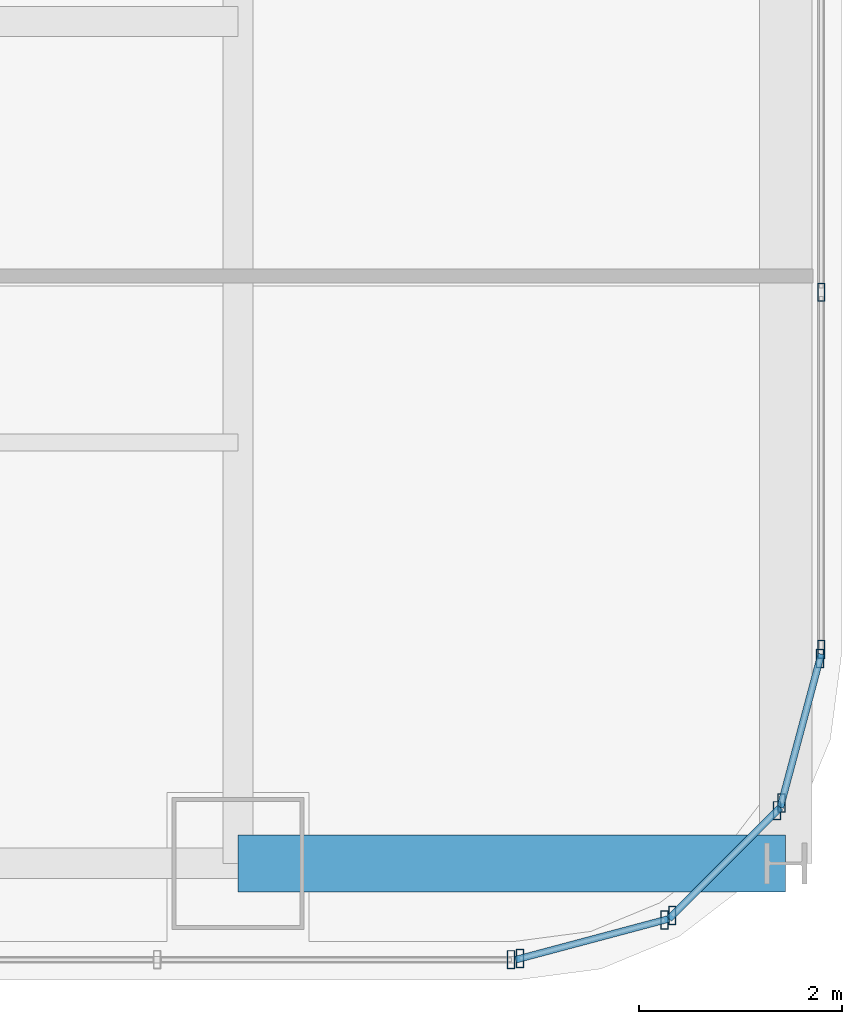
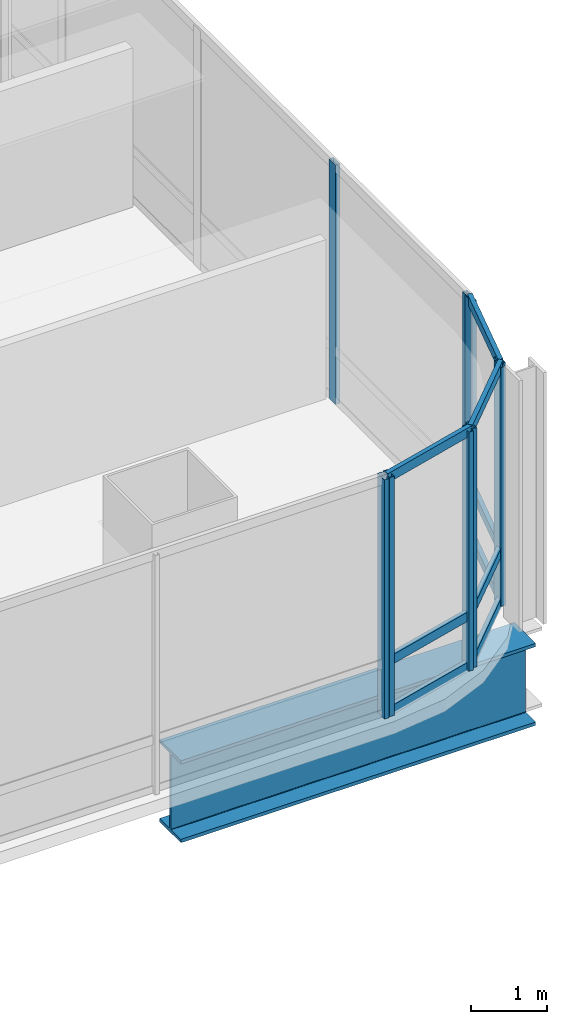
# One storey, part 15 of 42: 18 members, 1 beam, 5 elements without a shape of their own.
"""IFC4 building model written with IfcOpenShell, lengths in metres."""

from ifc_helpers import new_model, si_unit, direction, frame, origin, origin_2d, place, context, subcontext, project, spatial, hollow_rectangle, i_section, extrude, material, material_profile, profile_set, type_object, element, aggregate, save


model = new_model("IFC4")

# Units and contexts
model_context = context("Model", 3, precision=1e-05, world=origin(), true_north=direction((0.0, 1.0)))
body_context = subcontext(model_context, "Body", "Model", "MODEL_VIEW")
ifc_project = project(units=[si_unit("LENGTHUNIT", "METRE"), si_unit("AREAUNIT", "SQUARE_METRE"), si_unit("VOLUMEUNIT", "CUBIC_METRE"), si_unit("PLANEANGLEUNIT", "RADIAN"), si_unit("MASSUNIT", "GRAM", prefix="KILO")], contexts=[model_context])

# Site, building, storey
site_placement = place(None, origin())
site = spatial("IfcSite", under=ifc_project, at=site_placement, CompositionType="ELEMENT")
building_placement = place(site_placement, origin())
building = spatial("IfcBuilding", under=site, at=building_placement, Name="Punatoya Terracotta Tower", CompositionType="ELEMENT")
storey_placement = place(building_placement, frame((0.0, 0.0, 255.449951171875)))
storey = spatial("IfcBuildingStorey", under=building, at=storey_placement, Name="L60", CompositionType="ELEMENT", Elevation=255.449951171875)

# Beam
ifc_material_1 = material(Name="Steel S460", Category="steel")
ifc_material_profile_1 = material_profile(ifc_material_1, i_section(OverallWidth=0.56005859375, OverallDepth=1.320068359375, WebThickness=0.035888671875, FlangeThickness=0.054931640625, FilletRadius=0.01806640625, at=origin_2d()))
ifc_profile_set_1 = profile_set([ifc_material_profile_1], Name="Steel S460")
beam_type = type_object("IfcBeamType", Name="BM-TG-BLK", PredefinedType="BEAM", material=ifc_profile_set_1)
beam_placement = place(storey_placement, frame((19.10009765625, -17.5, -0.85986328125), z_axis=(1.0, 0.0, 0.0), x_axis=(0.0, 1.0, 0.0)))
element("IfcBeam", 1, at=beam_placement, inside=storey, type_object=beam_type, Name="BM-L60-CANT-E1", PredefinedType="BEAM", context=body_context, shape_type="SweptSolid", body=[
    extrude(i_section(OverallWidth=0.56005859375, OverallDepth=1.320068359375, WebThickness=0.035888671875, FlangeThickness=0.054931640625, FilletRadius=0.01806640625, at=origin_2d()), origin(), (0.0, 0.0, 1.0), 5.39990234375),
])

# Curtain wall, member
ifc_material_2 = material(Name="Aluminium 6063-T6 + Double Low-E Glass", Category="aluminium")
curtain_wall_type = type_object("IfcCurtainWallType", Name="CW-M3", PredefinedType="NOTDEFINED", material=ifc_material_2)
curtain_wall_1_placement = place(storey_placement, origin())
curtain_wall_1 = element("IfcCurtainWall", 2, at=curtain_wall_1_placement, inside=storey, type_object=curtain_wall_type, Name="L60 Curtain Wall CW-L60-S01-1", PredefinedType="NOTDEFINED")
ifc_material_3 = material(Name="Aluminium 6063-T6", Category="aluminium")
ifc_material_profile_2 = material_profile(ifc_material_3, hollow_rectangle(XDim=0.070068359375, YDim=0.179931640625, WallThickness=0.00390625, at=origin_2d()))
ifc_profile_set_2 = profile_set([ifc_material_profile_2], Name="Aluminium 6063-T6")
member_type_1 = type_object("IfcMemberType", Name="CW-MUL-M3", PredefinedType="MULLION", material=ifc_profile_set_2)
member_1_placement = place(storey_placement, frame((21.7919921875, -18.449951171875, 0.0), z_axis=(0.0, 0.0, 1.0), x_axis=(1.0, 0.0, 0.0)))
member_1 = element("IfcMember", 3, at=member_1_placement, type_object=member_type_1, Name="CW-L60-S01-1 Mullion 11", PredefinedType="MULLION", context=body_context, shape_type="SweptSolid", body=[
    extrude(hollow_rectangle(XDim=0.070068359375, YDim=0.179931640625, WallThickness=0.00390625, at=origin_2d()), origin(), (0.0, 0.0, 1.0), 3.85009765625),
])
aggregate(curtain_wall_1, [member_1])

# Curtain wall, members
curtain_wall_2_placement = place(storey_placement, origin())
curtain_wall_2 = element("IfcCurtainWall", 4, at=curtain_wall_2_placement, inside=storey, type_object=curtain_wall_type, Name="L60 Curtain Wall CW-L60-CRN02", PredefinedType="NOTDEFINED")
member_2_placement = place(storey_placement, frame((21.88037109375, -18.4384765625, 0.0), z_axis=(0.0, 0.0, 1.0), x_axis=(1.0, 0.0, 0.0)))
member_2 = element("IfcMember", 5, at=member_2_placement, type_object=member_type_1, Name="CW-L60-CRN02 Mullion 00", PredefinedType="MULLION", context=body_context, shape_type="SweptSolid", body=[
    extrude(hollow_rectangle(XDim=0.070068359375, YDim=0.179931640625, WallThickness=0.00390625, at=origin_2d()), origin(), (0.0, 0.0, 1.0), 3.85009765625),
])
member_3_placement = place(storey_placement, frame((23.3056640625, -18.05810546875, 0.0), z_axis=(0.0, 0.0, 1.0), x_axis=(1.0, 0.0, 0.0)))
member_3 = element("IfcMember", 6, at=member_3_placement, type_object=member_type_1, Name="CW-L60-CRN02 Mullion 01", PredefinedType="MULLION", context=body_context, shape_type="SweptSolid", body=[
    extrude(hollow_rectangle(XDim=0.070068359375, YDim=0.179931640625, WallThickness=0.00390625, at=origin_2d()), origin(), (0.0, 0.0, 1.0), 3.85009765625),
])

curtain_wall_3_placement = place(storey_placement, origin())
curtain_wall_3 = element("IfcCurtainWall", 7, at=curtain_wall_3_placement, inside=storey, type_object=curtain_wall_type, Name="L60 Curtain Wall CW-L60-CRN03", PredefinedType="NOTDEFINED")
member_4_placement = place(storey_placement, frame((23.380859375, -18.014892578125, 0.0), z_axis=(0.0, 0.0, 1.0), x_axis=(1.0, 0.0, 0.0)))
member_4 = element("IfcMember", 8, at=member_4_placement, type_object=member_type_1, Name="CW-L60-CRN03 Mullion 00", PredefinedType="MULLION", context=body_context, shape_type="SweptSolid", body=[
    extrude(hollow_rectangle(XDim=0.070068359375, YDim=0.179931640625, WallThickness=0.00390625, at=origin_2d()), origin(), (0.0, 0.0, 1.0), 3.85009765625),
])
member_5_placement = place(storey_placement, frame((24.414794921875, -16.98095703125, 0.0), z_axis=(0.0, 0.0, 1.0), x_axis=(1.0, 0.0, 0.0)))
member_5 = element("IfcMember", 9, at=member_5_placement, type_object=member_type_1, Name="CW-L60-CRN03 Mullion 01", PredefinedType="MULLION", context=body_context, shape_type="SweptSolid", body=[
    extrude(hollow_rectangle(XDim=0.070068359375, YDim=0.179931640625, WallThickness=0.00390625, at=origin_2d()), origin(), (0.0, 0.0, 1.0), 3.85009765625),
])

curtain_wall_4_placement = place(storey_placement, origin())
curtain_wall_4 = element("IfcCurtainWall", 10, at=curtain_wall_4_placement, inside=storey, type_object=curtain_wall_type, Name="L60 Curtain Wall CW-L60-CRN04", PredefinedType="NOTDEFINED")
member_6_placement = place(storey_placement, frame((24.458251953125, -16.905517578125, 0.0), z_axis=(0.0, 0.0, 1.0), x_axis=(1.0, 0.0, 0.0)))
member_6 = element("IfcMember", 11, at=member_6_placement, type_object=member_type_1, Name="CW-L60-CRN04 Mullion 00", PredefinedType="MULLION", context=body_context, shape_type="SweptSolid", body=[
    extrude(hollow_rectangle(XDim=0.070068359375, YDim=0.179931640625, WallThickness=0.00390625, at=origin_2d()), origin(), (0.0, 0.0, 1.0), 3.85009765625),
])
member_7_placement = place(storey_placement, frame((24.83837890625, -15.48046875, 0.0), z_axis=(0.0, 0.0, 1.0), x_axis=(1.0, 0.0, 0.0)))
member_7 = element("IfcMember", 12, at=member_7_placement, type_object=member_type_1, Name="CW-L60-CRN04 Mullion 01", PredefinedType="MULLION", context=body_context, shape_type="SweptSolid", body=[
    extrude(hollow_rectangle(XDim=0.070068359375, YDim=0.179931640625, WallThickness=0.00390625, at=origin_2d()), origin(), (0.0, 0.0, 1.0), 3.85009765625),
])

curtain_wall_5_placement = place(storey_placement, origin())
curtain_wall_5 = element("IfcCurtainWall", 13, at=curtain_wall_5_placement, inside=storey, type_object=curtain_wall_type, Name="L60 Curtain Wall CW-L60-E05-1", PredefinedType="NOTDEFINED")
member_8_placement = place(storey_placement, frame((24.85009765625, -15.391845703125, 0.0), z_axis=(0.0, 0.0, 1.0), x_axis=(1.0, 0.0, 0.0)))
member_8 = element("IfcMember", 14, at=member_8_placement, type_object=member_type_1, Name="CW-L60-E05-1 Mullion 00", PredefinedType="MULLION", context=body_context, shape_type="SweptSolid", body=[
    extrude(hollow_rectangle(XDim=0.070068359375, YDim=0.179931640625, WallThickness=0.00390625, at=origin_2d()), origin(), (0.0, 0.0, 1.0), 3.85009765625),
])
member_9_placement = place(storey_placement, frame((24.85009765625, -11.869384765625, 0.0), z_axis=(0.0, 0.0, 1.0), x_axis=(1.0, 0.0, 0.0)))
member_9 = element("IfcMember", 15, at=member_9_placement, type_object=member_type_1, Name="CW-L60-E05-1 Mullion 01", PredefinedType="MULLION", context=body_context, shape_type="SweptSolid", body=[
    extrude(hollow_rectangle(XDim=0.070068359375, YDim=0.179931640625, WallThickness=0.00390625, at=origin_2d()), origin(), (0.0, 0.0, 1.0), 3.85009765625),
])
aggregate(curtain_wall_5, [member_8, member_9])

# Member
ifc_material_profile_3 = material_profile(ifc_material_3, hollow_rectangle(XDim=0.068115234375, YDim=0.14990234375, WallThickness=0.00390625, at=origin_2d()))
ifc_profile_set_3 = profile_set([ifc_material_profile_3], Name="Aluminium 6063-T6")
member_type_2 = type_object("IfcMemberType", Name="CW-TRN-TYP", PredefinedType="USERDEFINED", material=ifc_profile_set_3)
member_10_placement = place(storey_placement, frame((21.8369140625, -18.449951171875, 0.0400390625), z_axis=(0.966224582397, 0.257701486942, 0.0), x_axis=(-0.257701486942, 0.966224582397, 0.0)))
member_10 = element("IfcMember", 16, at=member_10_placement, type_object=member_type_2, Name="CW-L60-CRN02 Transom 1", ObjectType="TRANSOM", PredefinedType="USERDEFINED", context=body_context, shape_type="SweptSolid", body=[
    extrude(hollow_rectangle(XDim=0.068115234375, YDim=0.14990234375, WallThickness=0.00390625, at=origin_2d()), origin(), (0.0, 0.0, 1.0), 1.565185546875),
])

member_11_placement = place(storey_placement, frame((21.8369140625, -18.449951171875, 0.85009765625), z_axis=(0.966224582397, 0.257701486942, 0.0), x_axis=(-0.257701486942, 0.966224582397, 0.0)))
member_11 = element("IfcMember", 17, at=member_11_placement, type_object=member_type_2, Name="CW-L60-CRN02 Transom 2", ObjectType="TRANSOM", PredefinedType="USERDEFINED", context=body_context, shape_type="SweptSolid", body=[
    extrude(hollow_rectangle(XDim=0.068115234375, YDim=0.14990234375, WallThickness=0.00390625, at=origin_2d()), origin(), (0.0, 0.0, 1.0), 1.565185546875),
])

member_12_placement = place(storey_placement, frame((21.8369140625, -18.449951171875, 3.81005859375), z_axis=(0.966224582397, 0.257701486942, 0.0), x_axis=(-0.257701486942, 0.966224582397, 0.0)))
member_12 = element("IfcMember", 18, at=member_12_placement, type_object=member_type_2, Name="CW-L60-CRN02 Transom 3", ObjectType="TRANSOM", PredefinedType="USERDEFINED", context=body_context, shape_type="SweptSolid", body=[
    extrude(hollow_rectangle(XDim=0.068115234375, YDim=0.14990234375, WallThickness=0.00390625, at=origin_2d()), origin(), (0.0, 0.0, 1.0), 1.565185546875),
])

aggregate(curtain_wall_2, [member_2, member_3, member_10, member_11, member_12])

member_13_placement = place(storey_placement, frame((23.34912109375, -18.046630859375, 0.0400390625), z_axis=(0.707106781187, 0.707106781187, 0.0), x_axis=(-0.707106781187, 0.707106781187, 0.0)))
member_13 = element("IfcMember", 19, at=member_13_placement, type_object=member_type_2, Name="CW-L60-CRN03 Transom 1", ObjectType="TRANSOM", PredefinedType="USERDEFINED", context=body_context, shape_type="SweptSolid", body=[
    extrude(hollow_rectangle(XDim=0.068115234375, YDim=0.14990234375, WallThickness=0.00390625, at=origin_2d()), origin(), (0.0, 0.0, 1.0), 1.552001953125),
])

member_14_placement = place(storey_placement, frame((23.34912109375, -18.046630859375, 0.85009765625), z_axis=(0.707106781187, 0.707106781187, 0.0), x_axis=(-0.707106781187, 0.707106781187, 0.0)))
member_14 = element("IfcMember", 20, at=member_14_placement, type_object=member_type_2, Name="CW-L60-CRN03 Transom 2", ObjectType="TRANSOM", PredefinedType="USERDEFINED", context=body_context, shape_type="SweptSolid", body=[
    extrude(hollow_rectangle(XDim=0.068115234375, YDim=0.14990234375, WallThickness=0.00390625, at=origin_2d()), origin(), (0.0, 0.0, 1.0), 1.552001953125),
])

member_15_placement = place(storey_placement, frame((23.34912109375, -18.046630859375, 3.81005859375), z_axis=(0.707106781187, 0.707106781187, 0.0), x_axis=(-0.707106781187, 0.707106781187, 0.0)))
member_15 = element("IfcMember", 21, at=member_15_placement, type_object=member_type_2, Name="CW-L60-CRN03 Transom 3", ObjectType="TRANSOM", PredefinedType="USERDEFINED", context=body_context, shape_type="SweptSolid", body=[
    extrude(hollow_rectangle(XDim=0.068115234375, YDim=0.14990234375, WallThickness=0.00390625, at=origin_2d()), origin(), (0.0, 0.0, 1.0), 1.552001953125),
])

aggregate(curtain_wall_3, [member_4, member_5, member_13, member_14, member_15])

member_16_placement = place(storey_placement, frame((24.446533203125, -16.94921875, 0.0400390625), z_axis=(0.257847112249, 0.966185730957, 0.0), x_axis=(-0.966185730957, 0.257847112249, 0.0)))
member_16 = element("IfcMember", 22, at=member_16_placement, type_object=member_type_2, Name="CW-L60-CRN04 Transom 1", ObjectType="TRANSOM", PredefinedType="USERDEFINED", context=body_context, shape_type="SweptSolid", body=[
    extrude(hollow_rectangle(XDim=0.068115234375, YDim=0.14990234375, WallThickness=0.00390625, at=origin_2d()), origin(), (0.0, 0.0, 1.0), 1.565185546875),
])

member_17_placement = place(storey_placement, frame((24.446533203125, -16.94921875, 0.85009765625), z_axis=(0.257847112249, 0.966185730957, 0.0), x_axis=(-0.966185730957, 0.257847112249, 0.0)))
member_17 = element("IfcMember", 23, at=member_17_placement, type_object=member_type_2, Name="CW-L60-CRN04 Transom 2", ObjectType="TRANSOM", PredefinedType="USERDEFINED", context=body_context, shape_type="SweptSolid", body=[
    extrude(hollow_rectangle(XDim=0.068115234375, YDim=0.14990234375, WallThickness=0.00390625, at=origin_2d()), origin(), (0.0, 0.0, 1.0), 1.565185546875),
])

member_18_placement = place(storey_placement, frame((24.446533203125, -16.94921875, 3.81005859375), z_axis=(0.257847112249, 0.966185730957, 0.0), x_axis=(-0.966185730957, 0.257847112249, 0.0)))
member_18 = element("IfcMember", 24, at=member_18_placement, type_object=member_type_2, Name="CW-L60-CRN04 Transom 3", ObjectType="TRANSOM", PredefinedType="USERDEFINED", context=body_context, shape_type="SweptSolid", body=[
    extrude(hollow_rectangle(XDim=0.068115234375, YDim=0.14990234375, WallThickness=0.00390625, at=origin_2d()), origin(), (0.0, 0.0, 1.0), 1.565185546875),
])

aggregate(curtain_wall_4, [member_6, member_7, member_16, member_17, member_18])

save(model, "model.ifc")
